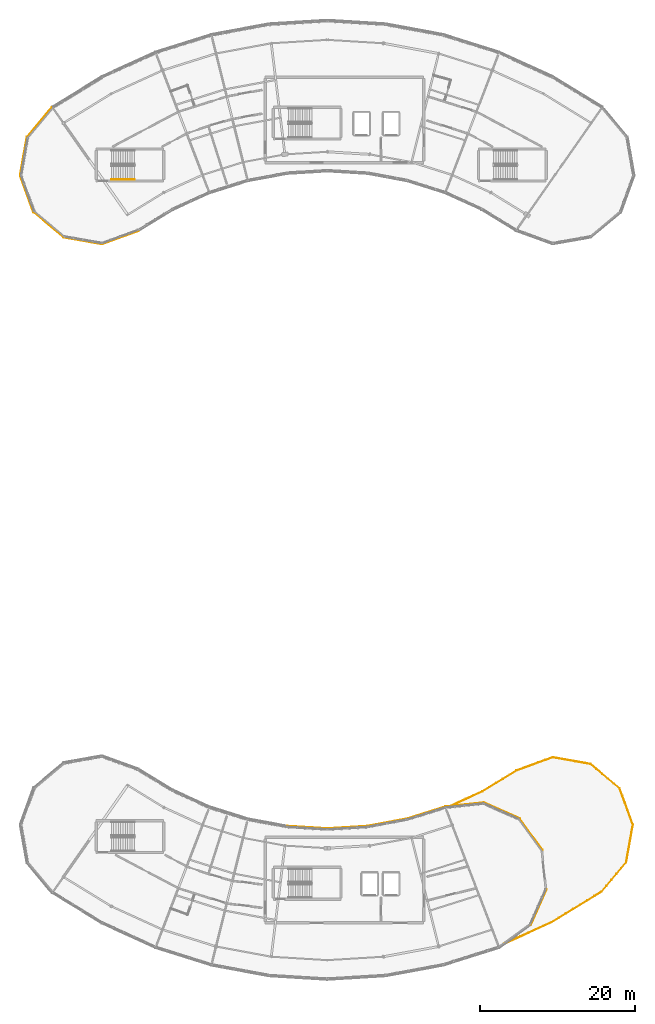
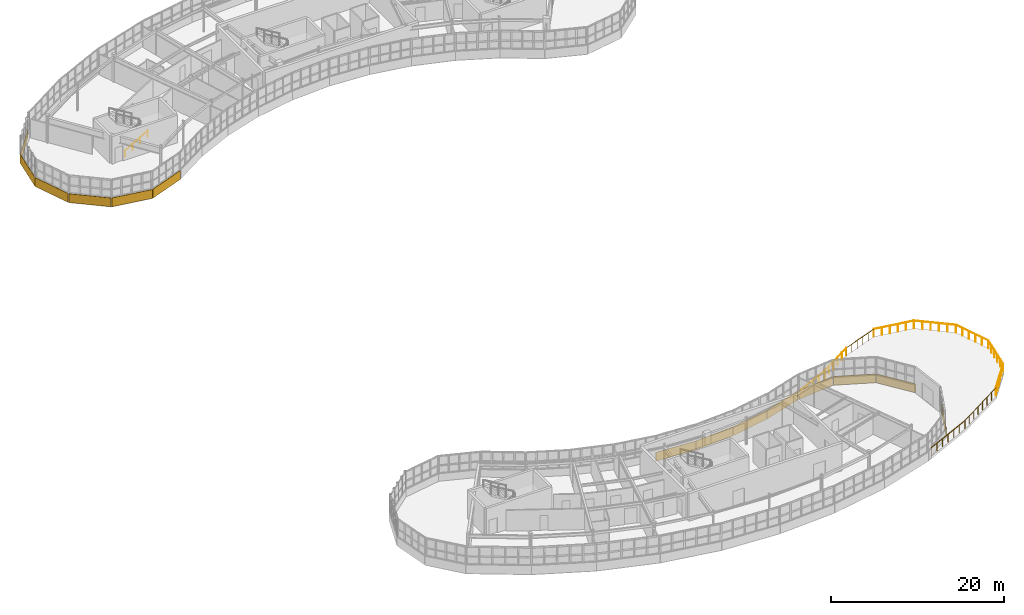
# One storey, part 61 of 65: 14 coverings, 11 railings.
"""IFC4 building model written with IfcOpenShell, lengths in metres."""

from ifc_helpers import new_model, si_unit, direction, frame, origin, origin_2d, place, context, subcontext, project, spatial, rectangle, circle, extrude, material, layer, layer_set, type_object, element, save


model = new_model("IFC4")

# Units and contexts
model_context = context("Model", 3, precision=1e-05, world=origin(), true_north=direction((0.0, 1.0)))
body_context = subcontext(model_context, "Body", "Model", "MODEL_VIEW")
ifc_project = project(units=[si_unit("LENGTHUNIT", "METRE"), si_unit("AREAUNIT", "SQUARE_METRE"), si_unit("VOLUMEUNIT", "CUBIC_METRE"), si_unit("PLANEANGLEUNIT", "RADIAN"), si_unit("MASSUNIT", "GRAM", prefix="KILO")], contexts=[model_context])

# Site, building, storey
site_placement = place(None, origin())
site = spatial("IfcSite", under=ifc_project, at=site_placement, CompositionType="ELEMENT")
building_placement = place(site_placement, origin())
building = spatial("IfcBuilding", under=site, at=building_placement, Name="Tarnwether General Hospital", CompositionType="ELEMENT")
storey_placement = place(building_placement, frame((0.0, 0.0, 22.199951171875)))
storey = spatial("IfcBuildingStorey", under=building, at=storey_placement, Name="L05", CompositionType="ELEMENT", Elevation=22.199951171875)

# Coverings
ifc_material_1 = material(Name="Streamlined white enamelled aluminium", Category="aluminium")
ifc_layer = layer(ifc_material_1, 0.044921875)
ifc_layer_set = layer_set([ifc_layer], Name="Streamlined white enamelled aluminium")
covering_type = type_object("IfcCoveringType", Name="CV-CLD-WHT", PredefinedType="CLADDING", material=ifc_layer_set)
covering_1_placement = place(storey_placement, frame((52.912109375, 107.22900390625, -0.175048828125), z_axis=(0.0, 0.0, 1.0), x_axis=(0.173459104952, 0.984841072919, 0.0)))
element("IfcCovering", 1, at=covering_1_placement, inside=storey, type_object=covering_type, Name="Streamlined White Horizontal Band NW L05 01", PredefinedType="CLADDING", context=body_context, shape_type="SweptSolid", body=[
    extrude(rectangle(XDim=4.968994140625, YDim=0.044921875, at=origin_2d()), origin(), (0.0, 0.0, 1.0), 1.25),
])
covering_2_placement = place(storey_placement, frame((53.3359375, 102.37890625, -0.175048828125), z_axis=(0.0, 0.0, 1.0), x_axis=(-0.341954539571, 0.939716496006, 0.0)))
element("IfcCovering", 2, at=covering_2_placement, inside=storey, type_object=covering_type, Name="Streamlined White Horizontal Band NW L05 02", PredefinedType="CLADDING", context=body_context, shape_type="SweptSolid", body=[
    extrude(rectangle(XDim=4.968017578125, YDim=0.044921875, at=origin_2d()), origin(), (0.0, 0.0, 1.0), 1.25),
])
for number, where, z_axis, x_axis, name in (
    (3, (56.12890625, 98.39111328125, -0.175048828125), (0.0, 0.0, 1.0), (-0.765988346401, 0.642854457228, 0.0), "Streamlined White Horizontal Band NW L05 03"),
    (4, (60.541015625, 96.333984375, -0.175048828125), (0.0, 0.0, 1.0), (-0.98480472213, 0.173665365778, 0.0), "Streamlined White Horizontal Band NW L05 04"),
):
    element("IfcCovering", number, at=place(storey_placement, frame(where, z_axis=z_axis, x_axis=x_axis)), inside=storey, type_object=covering_type, Name=name, PredefinedType="CLADDING", context=body_context, shape_type="SweptSolid", body=[
        extrude(rectangle(XDim=4.969970703125, YDim=0.044921875, at=origin_2d()), origin(), (0.0, 0.0, 1.0), 1.25),
    ])
covering_3_placement = place(storey_placement, frame((65.39111328125, 96.758056640625, -0.175048828125), z_axis=(0.0, 0.0, 1.0), x_axis=(-0.93965082813, -0.342134945884, 0.0)))
element("IfcCovering", 5, at=covering_3_placement, inside=storey, type_object=covering_type, Name="Streamlined White Horizontal Band NW L05 05", PredefinedType="CLADDING", context=body_context, shape_type="SweptSolid", body=[
    extrude(rectangle(XDim=4.968994140625, YDim=0.044921875, at=origin_2d()), origin(), (0.0, 0.0, 1.0), 1.25),
])
for number, where, z_axis, x_axis, name in (
    (6, (54.968994140625, 111.64111328125, -0.175048828125), (0.0, 0.0, 1.0), (0.642854457228, 0.765988346401, 0.0), "Streamlined White Horizontal Band NW L05 32"),
    (7, (119.22705078125, 10.6279296875, -0.175048828125), (0.0, 0.0, 1.0), (-0.40667286458, -0.913573850991, 0.0), "Streamlined White Horizontal Band SE L05 10"),
):
    element("IfcCovering", number, at=place(storey_placement, frame(where, z_axis=z_axis, x_axis=x_axis)), inside=storey, type_object=covering_type, Name=name, PredefinedType="CLADDING", context=body_context, shape_type="SweptSolid", body=[
        extrude(rectangle(XDim=4.969970703125, YDim=0.044921875, at=origin_2d()), origin(), (0.0, 0.0, 1.0), 1.25),
    ])
covering_4_placement = place(storey_placement, frame((118.243896484375, 19.98193359375, -0.175048828125), z_axis=(0.0, 0.0, 1.0), x_axis=(0.587827611517, -0.808986216902, 0.0)))
element("IfcCovering", 8, at=covering_4_placement, inside=storey, type_object=covering_type, Name="Streamlined White Horizontal Band SE L05 12", PredefinedType="CLADDING", context=body_context, shape_type="SweptSolid", body=[
    extrude(rectangle(XDim=4.968994140625, YDim=0.044921875, at=origin_2d()), origin(), (0.0, 0.0, 1.0), 1.25),
])
covering_5_placement = place(storey_placement, frame((114.4609375, 23.0458984375, -0.175048828125), z_axis=(0.0, 0.0, 1.0), x_axis=(0.91349575857, -0.406848250673, 0.0)))
element("IfcCovering", 9, at=covering_5_placement, inside=storey, type_object=covering_type, Name="Streamlined White Horizontal Band SE L05 13", PredefinedType="CLADDING", context=body_context, shape_type="SweptSolid", body=[
    extrude(rectangle(XDim=4.969970703125, YDim=0.044921875, at=origin_2d()), origin(), (0.0, 0.0, 1.0), 1.25),
])
covering_6_placement = place(storey_placement, frame((109.652099609375, 23.806884765625, -0.175048828125), z_axis=(0.0, 0.0, 1.0), x_axis=(0.994509117385, 0.104649966258, 0.0)))
element("IfcCovering", 10, at=covering_6_placement, inside=storey, type_object=covering_type, Name="Streamlined White Horizontal Band SE L05 14", PredefinedType="CLADDING", context=body_context, shape_type="SweptSolid", body=[
    extrude(rectangle(XDim=4.968994140625, YDim=0.044921875, at=origin_2d()), origin(), (0.0, 0.0, 1.0), 1.25),
])
covering_7_placement = place(storey_placement, frame((104.68603515625, 22.762939453125, -0.175048828125), z_axis=(0.0, 0.0, 1.0), x_axis=(0.953711702297, 0.300722444959, 0.0)))
element("IfcCovering", 11, at=covering_7_placement, inside=storey, type_object=covering_type, Name="Streamlined White Horizontal Band SE L05 15", PredefinedType="CLADDING", context=body_context, shape_type="SweptSolid", body=[
    extrude(rectangle(XDim=5.177978515625, YDim=0.044921875, at=origin_2d()), origin(), (0.0, 0.0, 1.0), 1.25),
])
for number, where, z_axis, x_axis, name in (
    (12, (99.68798828125, 21.51708984375, -0.175048828125), (0.0, 0.0, 1.0), (0.983267627608, 0.182166880906, 0.0), "Streamlined White Horizontal Band SE L05 16"),
    (13, (94.574951171875, 20.889892578125, -0.175048828125), (0.0, 0.0, 1.0), (0.998134798422, 0.061048539535, 0.0), "Streamlined White Horizontal Band SE L05 17"),
    (14, (89.425048828125, 20.889892578125, -0.175048828125), (0.0, 0.0, 1.0), (0.998134798422, -0.061048539535, 0.0), "Streamlined White Horizontal Band SE L05 18"),
):
    element("IfcCovering", number, at=place(storey_placement, frame(where, z_axis=z_axis, x_axis=x_axis)), inside=storey, type_object=covering_type, Name=name, PredefinedType="CLADDING", context=body_context, shape_type="SweptSolid", body=[
        extrude(rectangle(XDim=5.177001953125, YDim=0.044921875, at=origin_2d()), origin(), (0.0, 0.0, 1.0), 1.25),
    ])

# Railings
ifc_material_2 = material(Name="Anodised aluminium", Category="aluminium")
railing_type_1 = type_object("IfcRailingType", Name="RL-GRD-EXT", PredefinedType="GUARDRAIL", material=ifc_material_2)
railing_1_placement = place(storey_placement, frame((111.947998046875, 25.4951171875, 0.0)))
element("IfcRailing", 15, at=railing_1_placement, inside=storey, type_object=railing_type_1, Name="L05 South-East Ward Therapy Terrace SL-L05-WSE-TER Guard 0021", PredefinedType="GUARDRAIL", context=body_context, shape_type="SweptSolid", body=[
    extrude(circle(Radius=0.02392578125, at=origin_2d()), frame((0.0, 0.0, 1.1259765625), z_axis=(0.852612113791, 0.522544336317, 0.0), x_axis=(-0.522544336317, 0.852612113791, 0.0)), (0.0, 0.0, 1.0), 5.168701171875),
    extrude(circle(Radius=0.02099609375, at=origin_2d()), origin(), (0.0, 0.0, 1.0), 1.101806640625),
    extrude(circle(Radius=0.02099609375, at=origin_2d()), frame((0.88134765625, 0.540283203125, 0.0)), (0.0, 0.0, 1.0), 1.101806640625),
    extrude(circle(Radius=0.02099609375, at=origin_2d()), frame((1.7626953125, 1.080322265625, 0.0)), (0.0, 0.0, 1.0), 1.101806640625),
    extrude(circle(Radius=0.02099609375, at=origin_2d()), frame((2.644287109375, 1.62060546875, 0.0)), (0.0, 0.0, 1.0), 1.101806640625),
    extrude(circle(Radius=0.02099609375, at=origin_2d()), frame((3.525634765625, 2.16064453125, 0.0)), (0.0, 0.0, 1.0), 1.101806640625),
    extrude(circle(Radius=0.02099609375, at=origin_2d()), frame((4.406982421875, 2.700927734375, 0.0)), (0.0, 0.0, 1.0), 1.101806640625),
])
railing_2_placement = place(storey_placement, frame((116.35498046875, 28.196044921875, 0.0)))
element("IfcRailing", 16, at=railing_2_placement, inside=storey, type_object=railing_type_1, Name="L05 South-East Ward Therapy Terrace SL-L05-WSE-TER Guard 0022", PredefinedType="GUARDRAIL", context=body_context, shape_type="SweptSolid", body=[
    extrude(circle(Radius=0.02392578125, at=origin_2d()), frame((0.0, 0.0, 1.1259765625), z_axis=(0.939709684974, 0.341973256215, 0.0), x_axis=(-0.341973256215, 0.939709684974, 0.0)), (0.0, 0.0, 1.0), 4.93896484375),
    extrude(circle(Radius=0.02099609375, at=origin_2d()), origin(), (0.0, 0.0, 1.0), 1.101806640625),
    extrude(circle(Radius=0.02099609375, at=origin_2d()), frame((0.92822265625, 0.337890625, 0.0)), (0.0, 0.0, 1.0), 1.101806640625),
    extrude(circle(Radius=0.02099609375, at=origin_2d()), frame((1.8564453125, 0.675537109375, 0.0)), (0.0, 0.0, 1.0), 1.101806640625),
    extrude(circle(Radius=0.02099609375, at=origin_2d()), frame((2.78466796875, 1.013427734375, 0.0)), (0.0, 0.0, 1.0), 1.101806640625),
    extrude(circle(Radius=0.02099609375, at=origin_2d()), frame((3.712890625, 1.35107421875, 0.0)), (0.0, 0.0, 1.0), 1.101806640625),
    extrude(circle(Radius=0.02099609375, at=origin_2d()), frame((4.64111328125, 1.68896484375, 0.0)), (0.0, 0.0, 1.0), 1.101806640625),
])
railing_3_placement = place(storey_placement, frame((120.99609375, 29.885009765625, 0.0)))
element("IfcRailing", 17, at=railing_3_placement, inside=storey, type_object=railing_type_1, Name="L05 South-East Ward Therapy Terrace SL-L05-WSE-TER Guard 0023", PredefinedType="GUARDRAIL", context=body_context, shape_type="SweptSolid", body=[
    extrude(circle(Radius=0.02392578125, at=origin_2d()), frame((0.0, 0.0, 1.1259765625), z_axis=(0.984825934783, -0.173545032135, 0.0), x_axis=(0.173545032135, 0.984825934783, 0.0)), (0.0, 0.0, 1.0), 4.926513671875),
    extrude(circle(Radius=0.02099609375, at=origin_2d()), origin(), (0.0, 0.0, 1.0), 1.101806640625),
    extrude(circle(Radius=0.02099609375, at=origin_2d()), frame((0.970458984375, -0.1708984375, 0.0)), (0.0, 0.0, 1.0), 1.101806640625),
    extrude(circle(Radius=0.02099609375, at=origin_2d()), frame((1.940673828125, -0.342041015625, 0.0)), (0.0, 0.0, 1.0), 1.101806640625),
    extrude(circle(Radius=0.02099609375, at=origin_2d()), frame((2.9111328125, -0.512939453125, 0.0)), (0.0, 0.0, 1.0), 1.101806640625),
    extrude(circle(Radius=0.02099609375, at=origin_2d()), frame((3.88134765625, -0.68408203125, 0.0)), (0.0, 0.0, 1.0), 1.101806640625),
    extrude(circle(Radius=0.02099609375, at=origin_2d()), frame((4.851806640625, -0.85498046875, 0.0)), (0.0, 0.0, 1.0), 1.101806640625),
])
railing_4_placement = place(storey_placement, frame((125.847900390625, 29.030029296875, 0.0)))
element("IfcRailing", 18, at=railing_4_placement, inside=storey, type_object=railing_type_1, Name="L05 South-East Ward Therapy Terrace SL-L05-WSE-TER Guard 0024", PredefinedType="GUARDRAIL", context=body_context, shape_type="SweptSolid", body=[
    extrude(circle(Radius=0.02392578125, at=origin_2d()), frame((0.0, 0.0, 1.1259765625), z_axis=(0.766035688303, -0.642798043125, 0.0), x_axis=(0.642798043125, 0.766035688303, 0.0)), (0.0, 0.0, 1.0), 4.927001953125),
    extrude(circle(Radius=0.02099609375, at=origin_2d()), origin(), (0.0, 0.0, 1.0), 1.101806640625),
    extrude(circle(Radius=0.02099609375, at=origin_2d()), frame((0.7548828125, -0.63330078125, 0.0)), (0.0, 0.0, 1.0), 1.101806640625),
    extrude(circle(Radius=0.02099609375, at=origin_2d()), frame((1.509765625, -1.266845703125, 0.0)), (0.0, 0.0, 1.0), 1.101806640625),
    extrude(circle(Radius=0.02099609375, at=origin_2d()), frame((2.264404296875, -1.900146484375, 0.0)), (0.0, 0.0, 1.0), 1.101806640625),
    extrude(circle(Radius=0.02099609375, at=origin_2d()), frame((3.019287109375, -2.53369140625, 0.0)), (0.0, 0.0, 1.0), 1.101806640625),
    extrude(circle(Radius=0.02099609375, at=origin_2d()), frame((3.774169921875, -3.1669921875, 0.0)), (0.0, 0.0, 1.0), 1.101806640625),
])
railing_5_placement = place(storey_placement, frame((129.6220703125, 25.863037109375, 0.0)))
element("IfcRailing", 19, at=railing_5_placement, inside=storey, type_object=railing_type_1, Name="L05 South-East Ward Therapy Terrace SL-L05-WSE-TER Guard 0025", PredefinedType="GUARDRAIL", context=body_context, shape_type="SweptSolid", body=[
    extrude(circle(Radius=0.02392578125, at=origin_2d()), frame((0.0, 0.0, 1.1259765625), z_axis=(0.341834589837, -0.939760135987, 0.0), x_axis=(0.939760135987, 0.341834589837, 0.0)), (0.0, 0.0, 1.0), 4.92578125),
    extrude(circle(Radius=0.02099609375, at=origin_2d()), origin(), (0.0, 0.0, 1.0), 1.101806640625),
    extrude(circle(Radius=0.02099609375, at=origin_2d()), frame((0.336669921875, -0.92578125, 0.0)), (0.0, 0.0, 1.0), 1.101806640625),
    extrude(circle(Radius=0.02099609375, at=origin_2d()), frame((0.673583984375, -1.8515625, 0.0)), (0.0, 0.0, 1.0), 1.101806640625),
    extrude(circle(Radius=0.02099609375, at=origin_2d()), frame((1.01025390625, -2.777587890625, 0.0)), (0.0, 0.0, 1.0), 1.101806640625),
    extrude(circle(Radius=0.02099609375, at=origin_2d()), frame((1.34716796875, -3.703369140625, 0.0)), (0.0, 0.0, 1.0), 1.101806640625),
    extrude(circle(Radius=0.02099609375, at=origin_2d()), frame((1.683837890625, -4.629150390625, 0.0)), (0.0, 0.0, 1.0), 1.101806640625),
])
railing_6_placement = place(storey_placement, frame((131.305908203125, 21.23388671875, 0.0)))
element("IfcRailing", 20, at=railing_6_placement, inside=storey, type_object=railing_type_1, Name="L05 South-East Ward Therapy Terrace SL-L05-WSE-TER Guard 0026", PredefinedType="GUARDRAIL", context=body_context, shape_type="SweptSolid", body=[
    extrude(circle(Radius=0.02392578125, at=origin_2d()), frame((0.0, 0.0, 1.1259765625), z_axis=(-0.173352768392, -0.984859795956, 0.0), x_axis=(0.984859795956, -0.173352768392, 0.0)), (0.0, 0.0, 1.0), 4.926513671875),
    extrude(circle(Radius=0.02099609375, at=origin_2d()), origin(), (0.0, 0.0, 1.0), 1.101806640625),
    extrude(circle(Radius=0.02099609375, at=origin_2d()), frame((-0.1708984375, -0.970458984375, 0.0)), (0.0, 0.0, 1.0), 1.101806640625),
    extrude(circle(Radius=0.02099609375, at=origin_2d()), frame((-0.341552734375, -1.940673828125, 0.0)), (0.0, 0.0, 1.0), 1.101806640625),
    extrude(circle(Radius=0.02099609375, at=origin_2d()), frame((-0.512451171875, -2.9111328125, 0.0)), (0.0, 0.0, 1.0), 1.101806640625),
    extrude(circle(Radius=0.02099609375, at=origin_2d()), frame((-0.68310546875, -3.88134765625, 0.0)), (0.0, 0.0, 1.0), 1.101806640625),
    extrude(circle(Radius=0.02099609375, at=origin_2d()), frame((-0.85400390625, -4.851806640625, 0.0)), (0.0, 0.0, 1.0), 1.101806640625),
])
railing_7_placement = place(storey_placement, frame((130.451904296875, 16.382080078125, 0.0)))
element("IfcRailing", 21, at=railing_7_placement, inside=storey, type_object=railing_type_1, Name="L05 South-East Ward Therapy Terrace SL-L05-WSE-TER Guard 0027", PredefinedType="GUARDRAIL", context=body_context, shape_type="SweptSolid", body=[
    extrude(circle(Radius=0.02392578125, at=origin_2d()), frame((0.0, 0.0, 1.1259765625), z_axis=(-0.642812687892, -0.766023399306, 0.0), x_axis=(0.766023399306, -0.642812687892, 0.0)), (0.0, 0.0, 1.0), 4.935791015625),
    extrude(circle(Radius=0.02099609375, at=origin_2d()), origin(), (0.0, 0.0, 1.0), 1.101806640625),
    extrude(circle(Radius=0.02099609375, at=origin_2d()), frame((-0.634521484375, -0.756103515625, 0.0)), (0.0, 0.0, 1.0), 1.101806640625),
    extrude(circle(Radius=0.02099609375, at=origin_2d()), frame((-1.26904296875, -1.512451171875, 0.0)), (0.0, 0.0, 1.0), 1.101806640625),
    extrude(circle(Radius=0.02099609375, at=origin_2d()), frame((-1.90380859375, -2.2685546875, 0.0)), (0.0, 0.0, 1.0), 1.101806640625),
    extrude(circle(Radius=0.02099609375, at=origin_2d()), frame((-2.538330078125, -3.02490234375, 0.0)), (0.0, 0.0, 1.0), 1.101806640625),
    extrude(circle(Radius=0.02099609375, at=origin_2d()), frame((-3.1728515625, -3.781005859375, 0.0)), (0.0, 0.0, 1.0), 1.101806640625),
])
railing_8_placement = place(storey_placement, frame((127.279052734375, 12.60107421875, 0.0)))
element("IfcRailing", 22, at=railing_8_placement, inside=storey, type_object=railing_type_1, Name="L05 South-East Ward Therapy Terrace SL-L05-WSE-TER Guard 0028", PredefinedType="GUARDRAIL", context=body_context, shape_type="SweptSolid", body=[
    extrude(circle(Radius=0.02392578125, at=origin_2d()), frame((0.0, 0.0, 1.1259765625), z_axis=(-0.852669986647, -0.522449896039, 0.0), x_axis=(0.522449896039, -0.852669986647, 0.0)), (0.0, 0.0, 1.0), 7.50341796875),
    extrude(circle(Radius=0.02099609375, at=origin_2d()), origin(), (0.0, 0.0, 1.0), 1.101806640625),
    extrude(circle(Radius=0.02099609375, at=origin_2d()), frame((-0.9140625, -0.56005859375, 0.0)), (0.0, 0.0, 1.0), 1.101806640625),
    extrude(circle(Radius=0.02099609375, at=origin_2d()), frame((-1.827880859375, -1.1201171875, 0.0)), (0.0, 0.0, 1.0), 1.101806640625),
    extrude(circle(Radius=0.02099609375, at=origin_2d()), frame((-2.741943359375, -1.68017578125, 0.0)), (0.0, 0.0, 1.0), 1.101806640625),
    extrude(circle(Radius=0.02099609375, at=origin_2d()), frame((-3.656005859375, -2.239990234375, 0.0)), (0.0, 0.0, 1.0), 1.101806640625),
    extrude(circle(Radius=0.02099609375, at=origin_2d()), frame((-4.570068359375, -2.800048828125, 0.0)), (0.0, 0.0, 1.0), 1.101806640625),
    extrude(circle(Radius=0.02099609375, at=origin_2d()), frame((-5.48388671875, -3.360107421875, 0.0)), (0.0, 0.0, 1.0), 1.101806640625),
    extrude(circle(Radius=0.02099609375, at=origin_2d()), frame((-6.39794921875, -3.920166015625, 0.0)), (0.0, 0.0, 1.0), 1.101806640625),
])
railing_9_placement = place(storey_placement, frame((120.881103515625, 8.680908203125, 0.0)))
element("IfcRailing", 23, at=railing_9_placement, inside=storey, type_object=railing_type_1, Name="L05 South-East Ward Therapy Terrace SL-L05-WSE-TER Guard 0029", PredefinedType="GUARDRAIL", context=body_context, shape_type="SweptSolid", body=[
    extrude(circle(Radius=0.02392578125, at=origin_2d()), frame((0.0, 0.0, 1.1259765625), z_axis=(-0.909959437874, -0.41469726479, 0.0), x_axis=(0.41469726479, -0.909959437874, 0.0)), (0.0, 0.0, 1.0), 6.621337890625),
    extrude(circle(Radius=0.02099609375, at=origin_2d()), origin(), (0.0, 0.0, 1.0), 1.101806640625),
    extrude(circle(Radius=0.02099609375, at=origin_2d()), frame((-1.004150390625, -0.45751953125, 0.0)), (0.0, 0.0, 1.0), 1.101806640625),
    extrude(circle(Radius=0.02099609375, at=origin_2d()), frame((-2.00830078125, -0.915283203125, 0.0)), (0.0, 0.0, 1.0), 1.101806640625),
    extrude(circle(Radius=0.02099609375, at=origin_2d()), frame((-3.0126953125, -1.373046875, 0.0)), (0.0, 0.0, 1.0), 1.101806640625),
    extrude(circle(Radius=0.02099609375, at=origin_2d()), frame((-4.016845703125, -1.83056640625, 0.0)), (0.0, 0.0, 1.0), 1.101806640625),
    extrude(circle(Radius=0.02099609375, at=origin_2d()), frame((-5.02099609375, -2.2880859375, 0.0)), (0.0, 0.0, 1.0), 1.101806640625),
    extrude(circle(Radius=0.02099609375, at=origin_2d()), frame((-6.025146484375, -2.745849609375, 0.0)), (0.0, 0.0, 1.0), 1.101806640625),
])
railing_10_placement = place(storey_placement, frame((107.73193359375, 23.572998046875, 0.0)))
element("IfcRailing", 24, at=railing_10_placement, inside=storey, type_object=railing_type_1, Name="L05 South-East Ward Therapy Terrace SL-L05-WSE-TER Guard 0030", PredefinedType="GUARDRAIL", context=body_context, shape_type="SweptSolid", body=[
    extrude(circle(Radius=0.02392578125, at=origin_2d()), frame((0.0, 0.0, 1.1259765625), z_axis=(0.909982688172, 0.414646243473, 0.0), x_axis=(-0.414646243473, 0.909982688172, 0.0)), (0.0, 0.0, 1.0), 4.623291015625),
    extrude(circle(Radius=0.02099609375, at=origin_2d()), origin(), (0.0, 0.0, 1.0), 1.101806640625),
    extrude(circle(Radius=0.02099609375, at=origin_2d()), frame((1.0517578125, 0.479248046875, 0.0)), (0.0, 0.0, 1.0), 1.101806640625),
    extrude(circle(Radius=0.02099609375, at=origin_2d()), frame((2.103515625, 0.95849609375, 0.0)), (0.0, 0.0, 1.0), 1.101806640625),
    extrude(circle(Radius=0.02099609375, at=origin_2d()), frame((3.1552734375, 1.437744140625, 0.0)), (0.0, 0.0, 1.0), 1.101806640625),
    extrude(circle(Radius=0.02099609375, at=origin_2d()), frame((4.20703125, 1.9169921875, 0.0)), (0.0, 0.0, 1.0), 1.101806640625),
])
ifc_material_3 = material(Name="Anodised aluminium", Category="aluminium")
railing_type_2 = type_object("IfcRailingType", Name="RL-HND-INT", PredefinedType="HANDRAIL", material=ifc_material_3)
railing_11_placement = place(storey_placement, frame((64.199951171875, 104.25, 0.17724609375)))
element("IfcRailing", 25, at=railing_11_placement, inside=storey, type_object=railing_type_2, Name="L05 ST-07 stair handrail 1", PredefinedType="HANDRAIL", context=body_context, shape_type="SweptSolid", body=[
    extrude(circle(Radius=0.02392578125, at=origin_2d()), frame((0.0, 0.0, 0.8759765625), z_axis=(0.86092931783, 0.0, 0.508724591208), x_axis=(0.0, 1.0, 0.0)), (0.0, 0.0, 1.0), 3.484619140625),
    extrude(circle(Radius=0.02099609375, at=origin_2d()), origin(), (0.0, 0.0, 1.0), 0.851806640625),
    extrude(circle(Radius=0.02099609375, at=origin_2d()), frame((1.0, 0.0, 0.5908203125)), (0.0, 0.0, 1.0), 0.851806640625),
    extrude(circle(Radius=0.02099609375, at=origin_2d()), frame((2.0, 0.0, 1.181884765625)), (0.0, 0.0, 1.0), 0.851806640625),
    extrude(circle(Radius=0.02099609375, at=origin_2d()), frame((3.0, 0.0, 1.772705078125)), (0.0, 0.0, 1.0), 0.851806640625),
])

save(model, "model.ifc")
